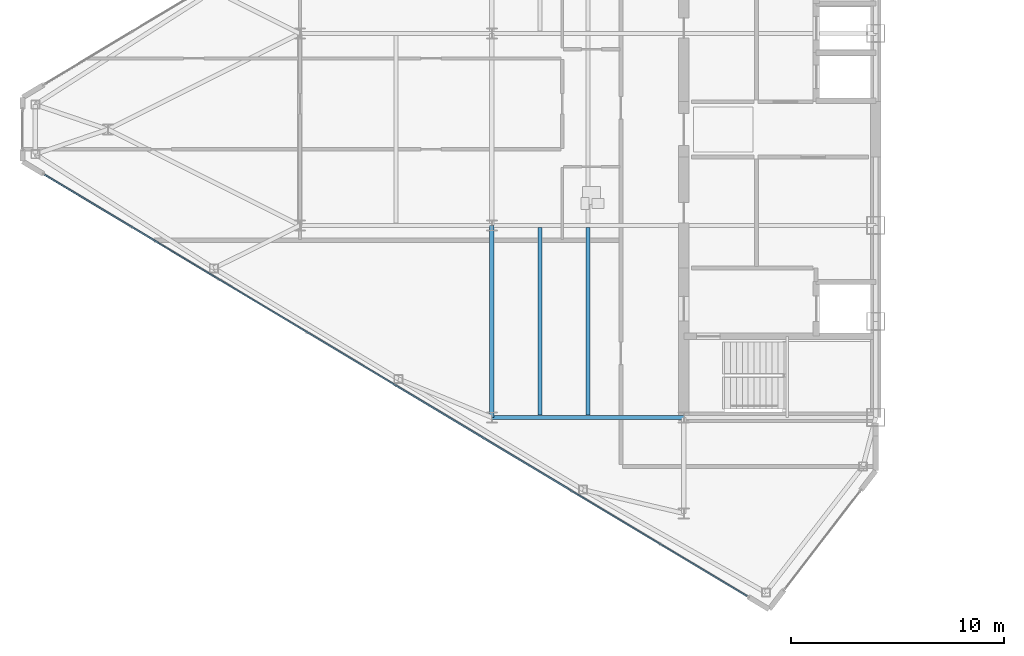
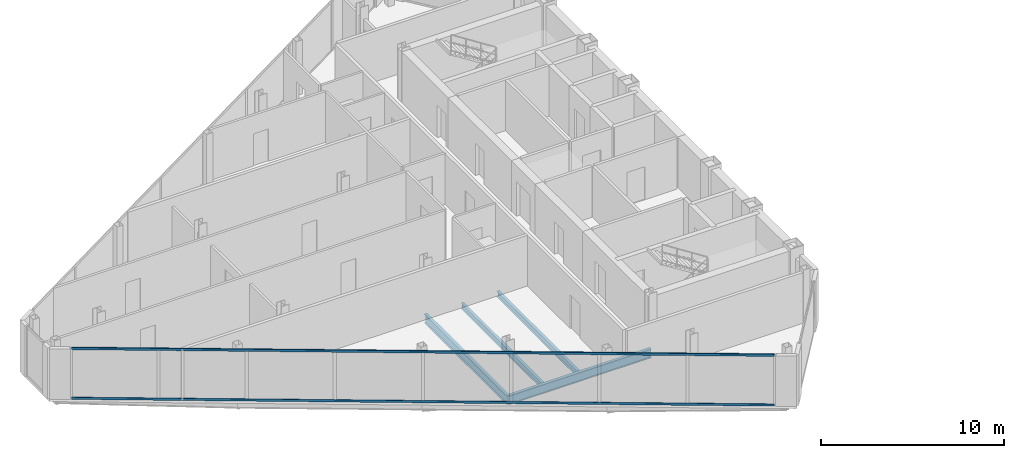
# One storey, part 6 of 25: 4 beams, 2 members, 1 element without a shape of its own.
"""IFC4 building model written with IfcOpenShell, lengths in metres."""

from ifc_helpers import new_model, si_unit, direction, frame, origin, origin_2d, place, context, subcontext, project, spatial, rectangle, i_section, extrude, source, transform, mapped, material, layer, layer_set, material_profile, profile_set, type_object, type_shapes, element, aggregate, save


model = new_model("IFC4")

# Units and contexts
model_context = context("Model", 3, precision=1e-05, world=origin(), true_north=direction((0.0, 1.0)))
body_context = subcontext(model_context, "Body", "Model", "MODEL_VIEW")
ifc_project = project(units=[si_unit("LENGTHUNIT", "METRE"), si_unit("AREAUNIT", "SQUARE_METRE"), si_unit("VOLUMEUNIT", "CUBIC_METRE"), si_unit("PLANEANGLEUNIT", "RADIAN"), si_unit("MASSUNIT", "GRAM", prefix="KILO")], contexts=[model_context])

# Site, building, storey
site_placement = place(None, origin())
site = spatial("IfcSite", under=ifc_project, at=site_placement, CompositionType="ELEMENT")
building_placement = place(site_placement, origin())
building = spatial("IfcBuilding", under=site, at=building_placement, Name="Seokmaru Belvedere", CompositionType="ELEMENT")
storey_placement = place(building_placement, frame((0.0, 0.0, 213.89990234375)))
storey = spatial("IfcBuildingStorey", under=building, at=storey_placement, Name="L57", CompositionType="ELEMENT", Elevation=213.89990234375)

# Beams
ifc_material_1 = material(Name="Steel SM355 (355 MPa)", Category="steel")
ifc_material_profile_1 = material_profile(ifc_material_1, i_section(OverallWidth=0.199951171875, OverallDepth=0.60009765625, WebThickness=0.010986328125, FlangeThickness=0.01708984375, at=origin_2d()), Name="H-600x200x11x17")
ifc_profile_set_1 = profile_set([ifc_material_profile_1], Name="Steel SM355 (355 MPa)")
beam_type_1 = type_object("IfcBeamType", Name="Primary Floor Girder H-600", PredefinedType="BEAM", material=ifc_profile_set_1)
shared_shape_1 = source(origin(), body_context, "Body", "SweptSolid", [
    extrude(i_section(OverallWidth=0.199951171875, OverallDepth=0.60009765625, WebThickness=0.010986328125, FlangeThickness=0.01708984375, at=origin_2d()), origin(), (0.0, 0.0, 1.0), 9.0),
])
type_shapes(beam_type_1, [shared_shape_1])
for number, where, z_axis, x_axis, name in (
    (1, (-45.5, -13.5, -0.52001953125), (0.0, 1.0, 0.0), (-1.0, 0.0, 0.0), "L57 W Interior Grid Girder 1"),
    (2, (-45.5, -13.5, -0.52001953125), (1.0, 0.0, 0.0), (0.0, 1.0, 0.0), "L57 W Wing Primary Girder 1"),
):
    element("IfcBeam", number, at=place(storey_placement, frame(where, z_axis=z_axis, x_axis=x_axis)), inside=storey, type_object=beam_type_1, Name=name, PredefinedType="BEAM", context=body_context, shape_type="MappedRepresentation", body=[
        mapped(shared_shape_1, transform((0.0, 0.0, 0.0), scale=1.0)),
    ])
ifc_material_profile_2 = material_profile(ifc_material_1, i_section(OverallWidth=0.18505859375, OverallDepth=0.389892578125, WebThickness=0.008056640625, FlangeThickness=0.011962890625, at=origin_2d()), Name="H-390x185x8x12")
ifc_profile_set_2 = profile_set([ifc_material_profile_2], Name="Steel SM355 (355 MPa)")
beam_type_2 = type_object("IfcBeamType", Name="Secondary Floor Joist H-350", PredefinedType="JOIST", material=ifc_profile_set_2)
shared_shape_2 = source(origin(), body_context, "Body", "SweptSolid", [
    extrude(i_section(OverallWidth=0.18505859375, OverallDepth=0.389892578125, WebThickness=0.008056640625, FlangeThickness=0.011962890625, at=origin_2d()), origin(), (0.0, 0.0, 1.0), 8.7900390625),
])
type_shapes(beam_type_2, [shared_shape_2])
for number, where, z_axis, x_axis, name in (
    (3, (-43.25, -13.39501953125, -0.414794921875), (0.0, 1.0, 0.0), (-1.0, 0.0, 0.0), "L57 W Wing Inner Secondary Joist 1"),
    (4, (-41.0, -13.39501953125, -0.414794921875), (0.0, 1.0, 0.0), (-1.0, 0.0, 0.0), "L57 W Secondary Floor Joist 1"),
):
    element("IfcBeam", number, at=place(storey_placement, frame(where, z_axis=z_axis, x_axis=x_axis)), inside=storey, type_object=beam_type_2, Name=name, PredefinedType="JOIST", context=body_context, shape_type="MappedRepresentation", body=[
        mapped(shared_shape_2, transform((0.0, 0.0, 0.0), scale=1.0)),
    ])

# Curtain wall, members
ifc_material_2 = material(Name="Bronze Triple Insulating Glass", Category="glass")
ifc_layer = layer(ifc_material_2, 0.179931640625)
ifc_layer_set = layer_set([ifc_layer], Name="Bronze Triple Insulating Glass")
curtain_wall_type = type_object("IfcCurtainWallType", Name="High-Rise Wind-Corner Curtain Wall System CW-5", PredefinedType="NOTDEFINED", material=ifc_layer_set)
curtain_wall_placement = place(storey_placement, origin())
curtain_wall = element("IfcCurtainWall", 5, at=curtain_wall_placement, inside=storey, type_object=curtain_wall_type, Name="L57 Curtain Wall WF5", PredefinedType="NOTDEFINED")
ifc_material_3 = material(Name="Anodised Bronze Aluminium", Category="aluminium")
ifc_material_profile_3 = material_profile(ifc_material_3, rectangle(XDim=0.06494140625, YDim=0.14990234375, at=origin_2d()), Name="CW-T-65x150")
ifc_profile_set_3 = profile_set([ifc_material_profile_3], Name="Anodised Bronze Aluminium")
member_type = type_object("IfcMemberType", Name="Bronze Unitised Transom 65x150", PredefinedType="USERDEFINED", material=ifc_profile_set_3)
shared_shape_3 = source(origin(), body_context, "Body", "SweptSolid", [
    extrude(rectangle(XDim=0.06494140625, YDim=0.14990234375, at=origin_2d()), origin(), (0.0, 0.0, 1.0), 38.386962890625),
])
type_shapes(member_type, [shared_shape_3])
member_1_placement = place(storey_placement, frame((-66.458251953125, -2.125, 0.03271484375), z_axis=(0.85749180336, -0.514497626011, 0.0), x_axis=(0.514497626011, 0.85749180336, 0.0)))
member_1 = element("IfcMember", 6, at=member_1_placement, type_object=member_type, Name="CW:L57:WF5 Continuous Transom 1", ObjectType="TRANSOM", PredefinedType="USERDEFINED", context=body_context, shape_type="MappedRepresentation", body=[
    mapped(shared_shape_3, transform((0.0, 0.0, 0.0), scale=1.0)),
])
member_2_placement = place(storey_placement, frame((-66.458251953125, -2.125, 3.34765625), z_axis=(0.85749180336, -0.514497626011, 0.0), x_axis=(0.514497626011, 0.85749180336, 0.0)))
member_2 = element("IfcMember", 7, at=member_2_placement, type_object=member_type, Name="CW:L57:WF5 Continuous Transom 2", ObjectType="TRANSOM", PredefinedType="USERDEFINED", context=body_context, shape_type="MappedRepresentation", body=[
    mapped(shared_shape_3, transform((0.0, 0.0, 0.0), scale=1.0)),
])
aggregate(curtain_wall, [member_1, member_2])

save(model, "model.ifc")
